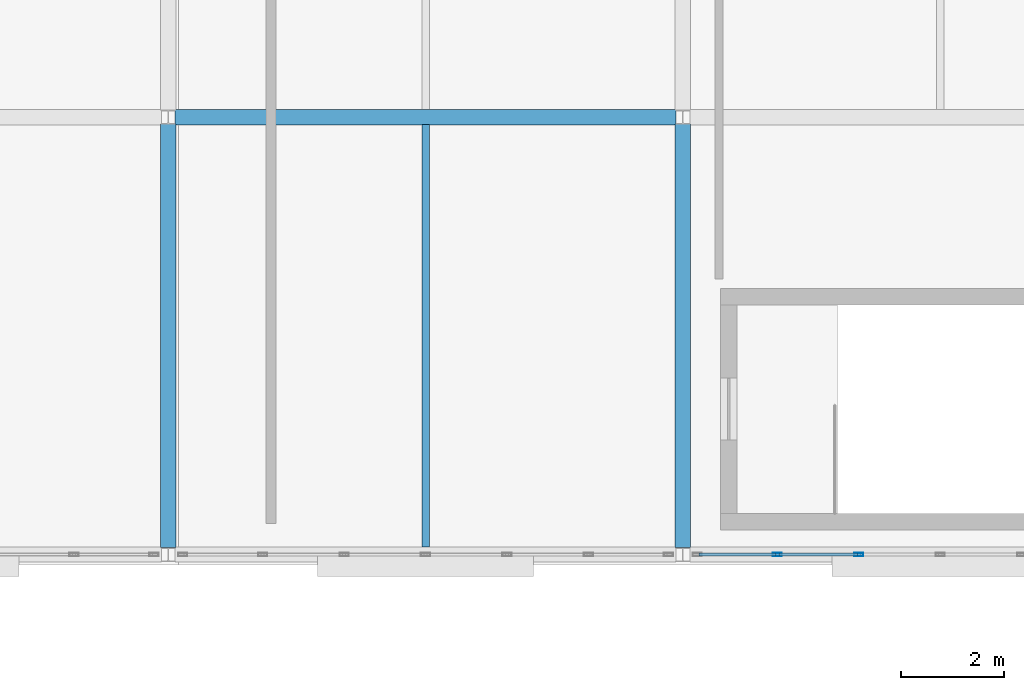
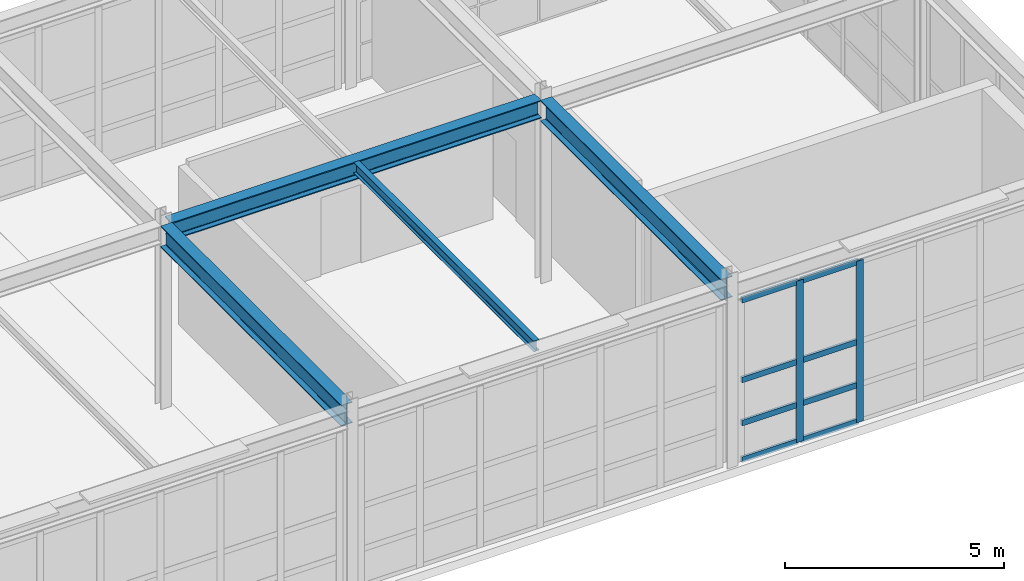
# One storey, part 150 of 239: 10 members, 4 beams, 1 element without a shape of its own.
"""IFC4 building model written with IfcOpenShell, lengths in metres."""

from ifc_helpers import new_model, si_unit, direction, frame, origin, origin_2d, place, context, subcontext, project, spatial, hollow_rectangle, i_section, extrude, material, material_profile, profile_set, type_object, element, aggregate, save


model = new_model("IFC4")

# Units and contexts
model_context = context("Model", 3, precision=1e-05, world=origin(), true_north=direction((0.0, 1.0)))
body_context = subcontext(model_context, "Body", "Model", "MODEL_VIEW")
ifc_project = project(units=[si_unit("LENGTHUNIT", "METRE"), si_unit("AREAUNIT", "SQUARE_METRE"), si_unit("VOLUMEUNIT", "CUBIC_METRE"), si_unit("PLANEANGLEUNIT", "RADIAN"), si_unit("MASSUNIT", "GRAM", prefix="KILO")], contexts=[model_context])

# Site, building, storey
site_placement = place(None, origin())
site = spatial("IfcSite", under=ifc_project, at=site_placement, CompositionType="ELEMENT")
building_placement = place(site_placement, origin())
building = spatial("IfcBuilding", under=site, at=building_placement, Name="Kaldris Quays Convention Centre", CompositionType="ELEMENT")
storey_placement = place(building_placement, frame((0.0, 0.0, 11.39990234375)))
storey = spatial("IfcBuildingStorey", under=building, at=storey_placement, Name="L02", CompositionType="ELEMENT", Elevation=11.39990234375)

# Curtain wall, members
ifc_material_1 = material(Name="Anodized aluminium AW-6060 and triple glazing", Category="aluminium")
curtain_wall_type = type_object("IfcCurtainWallType", Name="UNITISED CURTAIN WALL CW02", PredefinedType="NOTDEFINED", material=ifc_material_1)
curtain_wall_placement = place(storey_placement, origin())
curtain_wall = element("IfcCurtainWall", 1, at=curtain_wall_placement, inside=storey, type_object=curtain_wall_type, Name="L02 Unitised Curtain Wall CW02 207", PredefinedType="NOTDEFINED")
ifc_material_2 = material(Name="Anodized aluminium AW-6060", Category="aluminium")
ifc_material_profile_1 = material_profile(ifc_material_2, hollow_rectangle(XDim=0.06005859375, YDim=0.179931640625, WallThickness=0.0048828125, at=origin_2d()), Name="RHS 180x60x5")
ifc_profile_set_1 = profile_set([ifc_material_profile_1], Name="Anodized aluminium AW-6060")
member_type_1 = type_object("IfcMemberType", Name="CURTAIN MULLION CWM2", PredefinedType="MULLION", material=ifc_profile_set_1)
member_1_placement = place(storey_placement, frame((195.833251953125, 20.0, 0.0), z_axis=(0.0, 0.0, 1.0), x_axis=(0.0, 1.0, 0.0)))
member_1 = element("IfcMember", 2, at=member_1_placement, type_object=member_type_1, Name="CW02 mullion 2", PredefinedType="MULLION", context=body_context, shape_type="SweptSolid", body=[
    extrude(hollow_rectangle(XDim=0.06005859375, YDim=0.179931640625, WallThickness=0.0048828125, at=origin_2d()), origin(), (0.0, 0.0, 1.0), 4.498046875),
])
member_2_placement = place(storey_placement, frame((197.416748046875, 20.0, 0.0), z_axis=(0.0, 0.0, 1.0), x_axis=(0.0, 1.0, 0.0)))
member_2 = element("IfcMember", 3, at=member_2_placement, type_object=member_type_1, Name="CW02 mullion 3", PredefinedType="MULLION", context=body_context, shape_type="SweptSolid", body=[
    extrude(hollow_rectangle(XDim=0.06005859375, YDim=0.179931640625, WallThickness=0.0048828125, at=origin_2d()), origin(), (0.0, 0.0, 1.0), 4.498046875),
])
ifc_material_profile_2 = material_profile(ifc_material_2, hollow_rectangle(XDim=0.06005859375, YDim=0.159912109375, WallThickness=0.00390625, at=origin_2d()), Name="RHS 160x60x4")
ifc_profile_set_2 = profile_set([ifc_material_profile_2], Name="Anodized aluminium AW-6060")
member_type_2 = type_object("IfcMemberType", Name="CURTAIN TRANSOM CWT2", PredefinedType="USERDEFINED", material=ifc_profile_set_2)
member_3_placement = place(storey_placement, frame((194.31005859375, 20.0, 0.030029296875), z_axis=(1.0, 0.0, 0.0), x_axis=(0.0, 1.0, 0.0)))
member_3 = element("IfcMember", 4, at=member_3_placement, type_object=member_type_2, Name="CW02 transom 1.1", ObjectType="TRANSOM", PredefinedType="USERDEFINED", context=body_context, shape_type="SweptSolid", body=[
    extrude(hollow_rectangle(XDim=0.06005859375, YDim=0.159912109375, WallThickness=0.00390625, at=origin_2d()), origin(), (0.0, 0.0, 1.0), 1.4931640625),
])
member_4_placement = place(storey_placement, frame((194.31005859375, 20.0, 1.050048828125), z_axis=(1.0, 0.0, 0.0), x_axis=(0.0, 1.0, 0.0)))
member_4 = element("IfcMember", 5, at=member_4_placement, type_object=member_type_2, Name="CW02 transom 1.2", ObjectType="TRANSOM", PredefinedType="USERDEFINED", context=body_context, shape_type="SweptSolid", body=[
    extrude(hollow_rectangle(XDim=0.06005859375, YDim=0.159912109375, WallThickness=0.00390625, at=origin_2d()), origin(), (0.0, 0.0, 1.0), 1.4931640625),
])
member_5_placement = place(storey_placement, frame((194.31005859375, 20.0, 2.2490234375), z_axis=(1.0, 0.0, 0.0), x_axis=(0.0, 1.0, 0.0)))
member_5 = element("IfcMember", 6, at=member_5_placement, type_object=member_type_2, Name="CW02 transom 1.3", ObjectType="TRANSOM", PredefinedType="USERDEFINED", context=body_context, shape_type="SweptSolid", body=[
    extrude(hollow_rectangle(XDim=0.06005859375, YDim=0.159912109375, WallThickness=0.00390625, at=origin_2d()), origin(), (0.0, 0.0, 1.0), 1.4931640625),
])
member_6_placement = place(storey_placement, frame((194.31005859375, 20.0, 4.468017578125), z_axis=(1.0, 0.0, 0.0), x_axis=(0.0, 1.0, 0.0)))
member_6 = element("IfcMember", 7, at=member_6_placement, type_object=member_type_2, Name="CW02 transom 1.4", ObjectType="TRANSOM", PredefinedType="USERDEFINED", context=body_context, shape_type="SweptSolid", body=[
    extrude(hollow_rectangle(XDim=0.06005859375, YDim=0.159912109375, WallThickness=0.00390625, at=origin_2d()), origin(), (0.0, 0.0, 1.0), 1.4931640625),
])
member_7_placement = place(storey_placement, frame((195.86328125, 20.0, 0.030029296875), z_axis=(1.0, 0.0, 0.0), x_axis=(0.0, 1.0, 0.0)))
member_7 = element("IfcMember", 8, at=member_7_placement, type_object=member_type_2, Name="CW02 transom 2.1", ObjectType="TRANSOM", PredefinedType="USERDEFINED", context=body_context, shape_type="SweptSolid", body=[
    extrude(hollow_rectangle(XDim=0.06005859375, YDim=0.159912109375, WallThickness=0.00390625, at=origin_2d()), origin(), (0.0, 0.0, 1.0), 1.5234375),
])
member_8_placement = place(storey_placement, frame((195.86328125, 20.0, 1.050048828125), z_axis=(1.0, 0.0, 0.0), x_axis=(0.0, 1.0, 0.0)))
member_8 = element("IfcMember", 9, at=member_8_placement, type_object=member_type_2, Name="CW02 transom 2.2", ObjectType="TRANSOM", PredefinedType="USERDEFINED", context=body_context, shape_type="SweptSolid", body=[
    extrude(hollow_rectangle(XDim=0.06005859375, YDim=0.159912109375, WallThickness=0.00390625, at=origin_2d()), origin(), (0.0, 0.0, 1.0), 1.5234375),
])
member_9_placement = place(storey_placement, frame((195.86328125, 20.0, 2.2490234375), z_axis=(1.0, 0.0, 0.0), x_axis=(0.0, 1.0, 0.0)))
member_9 = element("IfcMember", 10, at=member_9_placement, type_object=member_type_2, Name="CW02 transom 2.3", ObjectType="TRANSOM", PredefinedType="USERDEFINED", context=body_context, shape_type="SweptSolid", body=[
    extrude(hollow_rectangle(XDim=0.06005859375, YDim=0.159912109375, WallThickness=0.00390625, at=origin_2d()), origin(), (0.0, 0.0, 1.0), 1.5234375),
])
member_10_placement = place(storey_placement, frame((195.86328125, 20.0, 4.468017578125), z_axis=(1.0, 0.0, 0.0), x_axis=(0.0, 1.0, 0.0)))
member_10 = element("IfcMember", 11, at=member_10_placement, type_object=member_type_2, Name="CW02 transom 2.4", ObjectType="TRANSOM", PredefinedType="USERDEFINED", context=body_context, shape_type="SweptSolid", body=[
    extrude(hollow_rectangle(XDim=0.06005859375, YDim=0.159912109375, WallThickness=0.00390625, at=origin_2d()), origin(), (0.0, 0.0, 1.0), 1.5234375),
])
aggregate(curtain_wall, [member_1, member_2, member_3, member_4, member_5, member_6, member_7, member_8, member_9, member_10])

# Beams
ifc_material_3 = material(Name="Steel S355J2", Category="steel")
ifc_material_profile_3 = material_profile(ifc_material_3, i_section(OverallWidth=0.300048828125, OverallDepth=0.5, WebThickness=0.014404296875, FlangeThickness=0.028076171875, FilletRadius=0.027099609375, at=origin_2d()), Name="HEB 500")
ifc_profile_set_3 = profile_set([ifc_material_profile_3], Name="Steel S355J2")
beam_type_1 = type_object("IfcBeamType", Name="STRUCTURAL BEAM BM06", PredefinedType="BEAM", material=ifc_profile_set_3)
beam_1_placement = place(storey_placement, frame((184.134033203125, 28.5, 4.863037109375), z_axis=(1.0, 0.0, 0.0), x_axis=(0.0, 1.0, 0.0)))
element("IfcBeam", 12, at=beam_1_placement, inside=storey, type_object=beam_type_1, Name="L02 Girder BM06 9", PredefinedType="BEAM", context=body_context, shape_type="SweptSolid", body=[
    extrude(i_section(OverallWidth=0.300048828125, OverallDepth=0.5, WebThickness=0.014404296875, FlangeThickness=0.028076171875, FilletRadius=0.027099609375, at=origin_2d()), origin(), (0.0, 0.0, 1.0), 9.73193359375),
])
ifc_material_profile_4 = material_profile(ifc_material_3, i_section(OverallWidth=0.300048828125, OverallDepth=0.590087890625, WebThickness=0.012939453125, FlangeThickness=0.02490234375, FilletRadius=0.027099609375, at=origin_2d()), Name="HEA 600")
ifc_profile_set_4 = profile_set([ifc_material_profile_4], Name="Steel S355J2")
beam_type_2 = type_object("IfcBeamType", Name="STRUCTURAL BEAM BM08", PredefinedType="BEAM", material=ifc_profile_set_4)
for number, where, z_axis, x_axis, name in (
    (13, (184.0, 20.134033203125, 4.818115234375), (0.0, 1.0, 0.0), (-1.0, 0.0, 0.0), "L02 Girder BM08 22"),
    (14, (194.0, 20.134033203125, 4.818115234375), (0.0, 1.0, 0.0), (-1.0, 0.0, 0.0), "L02 Girder BM08 24"),
):
    element("IfcBeam", number, at=place(storey_placement, frame(where, z_axis=z_axis, x_axis=x_axis)), inside=storey, type_object=beam_type_2, Name=name, PredefinedType="BEAM", context=body_context, shape_type="SweptSolid", body=[
        extrude(i_section(OverallWidth=0.300048828125, OverallDepth=0.590087890625, WebThickness=0.012939453125, FlangeThickness=0.02490234375, FilletRadius=0.027099609375, at=origin_2d()), origin(), (0.0, 0.0, 1.0), 8.23193359375),
    ])
ifc_material_profile_5 = material_profile(ifc_material_3, i_section(OverallWidth=0.14990234375, OverallDepth=0.300048828125, WebThickness=0.007080078125, FlangeThickness=0.0107421875, FilletRadius=0.014892578125, at=origin_2d()), Name="IPE 300")
ifc_profile_set_5 = profile_set([ifc_material_profile_5], Name="Steel S355J2")
beam_type_3 = type_object("IfcBeamType", Name="STRUCTURAL BEAM JT04", PredefinedType="JOIST", material=ifc_profile_set_5)
beam_2_placement = place(storey_placement, frame((189.0, 20.14404296875, 4.963134765625), z_axis=(0.0, 1.0, 0.0), x_axis=(-1.0, 0.0, 0.0)))
element("IfcBeam", 15, at=beam_2_placement, inside=storey, type_object=beam_type_3, Name="L02 Secondary Joist JT04 4", PredefinedType="JOIST", context=body_context, shape_type="SweptSolid", body=[
    extrude(i_section(OverallWidth=0.14990234375, OverallDepth=0.300048828125, WebThickness=0.007080078125, FlangeThickness=0.0107421875, FilletRadius=0.014892578125, at=origin_2d()), origin(), (0.0, 0.0, 1.0), 8.2119140625),
])

save(model, "model.ifc")
